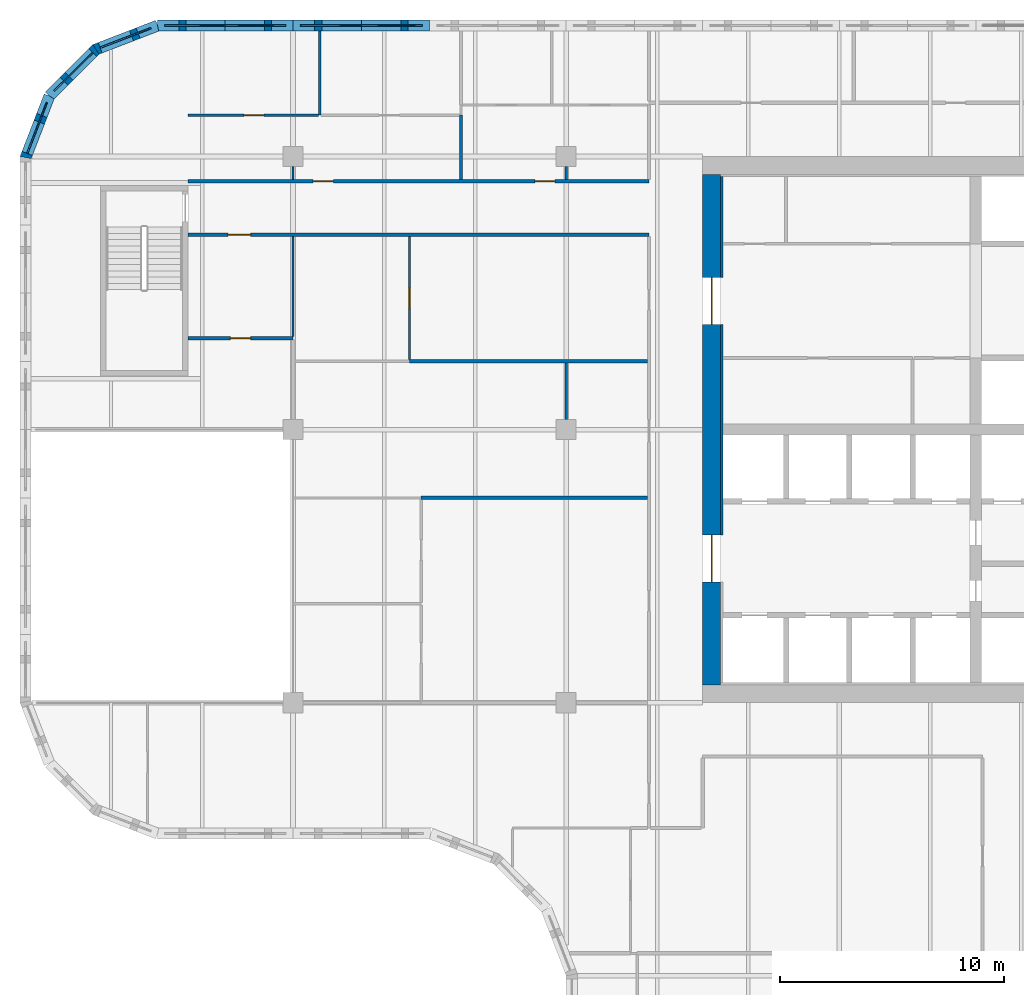
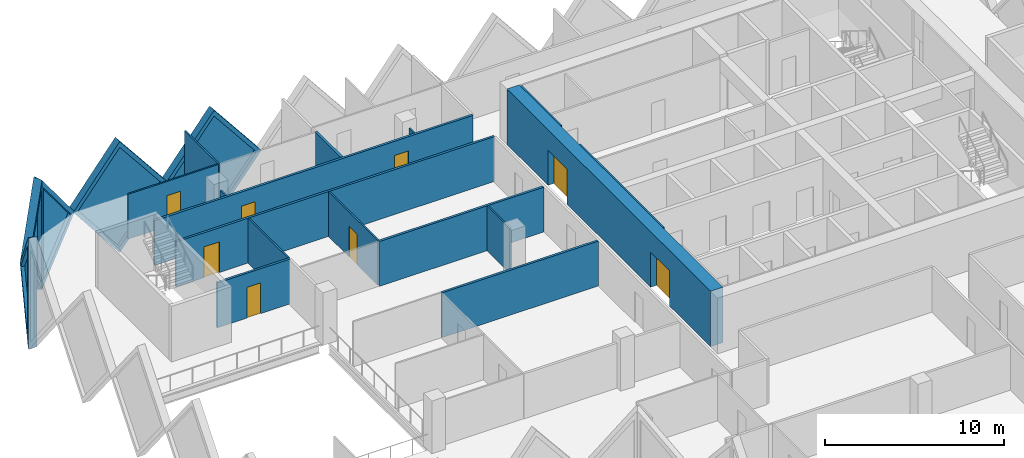
# One storey, part 8 of 18: 21 walls, 8 doors, 5 plates, 13 openings.
"""IFC4 building model written with IfcOpenShell, lengths in metres."""

from ifc_helpers import new_model, si_unit, direction, frame, frame_2d, origin, place, context, subcontext, project, spatial, polyline, rectangle, outline, extrude, faceted_brep, source, transform, mapped, material, layer, layer_set, type_object, element, fill, save


model = new_model("IFC4")

# Units and contexts
model_context = context("Model", 3, precision=1e-05, world=origin(), true_north=direction((0.0, 1.0)))
body_context = subcontext(model_context, "Body", "Model", "MODEL_VIEW")
ifc_project = project(units=[si_unit("LENGTHUNIT", "METRE"), si_unit("AREAUNIT", "SQUARE_METRE"), si_unit("VOLUMEUNIT", "CUBIC_METRE"), si_unit("PLANEANGLEUNIT", "RADIAN"), si_unit("MASSUNIT", "GRAM", prefix="KILO")], contexts=[model_context])

# Site, building, storey
site_placement = place(None, origin())
site = spatial("IfcSite", under=ifc_project, at=site_placement, CompositionType="ELEMENT")
building_placement = place(site_placement, origin())
building = spatial("IfcBuilding", under=site, at=building_placement, Name="Tessera Gate Towers", CompositionType="ELEMENT")
storey_placement = place(building_placement, frame((0.0, 0.0, 95.199951171875)))
storey = spatial("IfcBuildingStorey", under=building, at=storey_placement, Name="L23", CompositionType="ELEMENT", Elevation=95.199951171875)

# Wall, openings, doors
ifc_material_1 = material(Name="Concrete C60/75", Category="concrete")
ifc_layer_1 = layer(ifc_material_1, 0.800048828125)
ifc_layer_set_1 = layer_set([ifc_layer_1], Name="CORE SHEAR WALL 800 C60/75")
wall_type_1 = type_object("IfcWallType", Name="CORE SHEAR WALL 800 C60/75", PredefinedType="SHEAR", material=ifc_layer_set_1)
wall_1_placement = place(storey_placement, frame((30.89990234375, 25.199951171875, 0.0), z_axis=(0.0, 0.0, 1.0), x_axis=(0.0, 1.0, 0.0)))
wall_1 = element("IfcWall", 1, at=wall_1_placement, inside=storey, type_object=wall_type_1, Name="Core wall W L23", PredefinedType="SHEAR", context=body_context, shape_type="SweptSolid", body=[
    extrude(rectangle(XDim=22.800048828125, YDim=0.800048828125, at=frame_2d((11.39990234375, 0.0))), origin(), (0.0, 0.0, 1.0), 3.800048828125),
])
shared_shape_1 = source(origin(), body_context, "Body", "SweptSolid", [
    extrude(rectangle(XDim=2.10009765625, YDim=2.39990234375, at=frame_2d((1.050048828125, 1.199951171875))), frame((0.0, 0.409912109375, 0.0), z_axis=(0.0, -1.0, 0.0), x_axis=(1.0, 0.0, 0.0)), (0.0, 0.0, 1.0), 0.820068359375),
])
opening_1_placement = place(wall_1_placement, frame((4.60009765625, 0.0, 0.0)))
opening_1 = element("IfcOpeningElement", 2, at=opening_1_placement, cuts=wall_1, Name="Opening DD-T1-15-02", PredefinedType="OPENING", context=body_context, shape_type="MappedRepresentation", body=[
    mapped(shared_shape_1, transform((0.0, 0.0, 0.0), scale=1.0)),
])
opening_2_placement = place(wall_1_placement, frame((16.10009765625, 0.0, 0.0)))
opening_2 = element("IfcOpeningElement", 3, at=opening_2_placement, cuts=wall_1, Name="Opening DD-T1-15-03", PredefinedType="OPENING", context=body_context, shape_type="MappedRepresentation", body=[
    mapped(shared_shape_1, transform((0.0, 0.0, 0.0), scale=1.0)),
])
ifc_material_2 = material(Name="Hollow steel fire door", Category="steel")
door_type_1 = type_object("IfcDoorType", Name="CORE DOOR DD 2100x2400", OperationType="NOTDEFINED", PredefinedType="DOOR", material=ifc_material_2)
shared_shape_2 = source(origin(), body_context, "Body", "SweptSolid", [
    extrude(rectangle(XDim=2.10009765625, YDim=2.39990234375, at=frame_2d((1.050048828125, 1.199951171875))), frame((0.0, 0.02490234375, 0.0), z_axis=(0.0, -1.0, 0.0), x_axis=(1.0, 0.0, 0.0)), (0.0, 0.0, 1.0), 0.050048828125),
])
door_1_placement = place(opening_1_placement, origin())
door_1 = element("IfcDoor", 4, at=door_1_placement, inside=storey, type_object=door_type_1, Name="Core entrance door", OperationType="DOUBLE_DOOR_SINGLE_SWING", OverallHeight=2.39990234375, OverallWidth=2.10009765625, PredefinedType="DOOR", context=body_context, shape_type="MappedRepresentation", body=[
    mapped(shared_shape_2, transform((0.0, 0.0, 0.0), scale=1.0)),
])
fill(opening_1, door_1)
door_2_placement = place(opening_2_placement, origin())
door_2 = element("IfcDoor", 5, at=door_2_placement, inside=storey, type_object=door_type_1, Name="Core entrance door", OperationType="DOUBLE_DOOR_SINGLE_SWING", OverallHeight=2.39990234375, OverallWidth=2.10009765625, PredefinedType="DOOR", context=body_context, shape_type="MappedRepresentation", body=[
    mapped(shared_shape_2, transform((0.0, 0.0, 0.0), scale=1.0)),
])
fill(opening_2, door_2)

# Walls
ifc_material_3 = material(Name="Concrete C60/75", Category="concrete")
ifc_layer_2 = layer(ifc_material_3, 0.10009765625)
ifc_layer_set_2 = layer_set([ifc_layer_2], Name="CORE WALL THICKENING 100")
wall_type_2 = type_object("IfcWallType", Name="CORE WALL THICKENING 100", PredefinedType="SOLIDWALL", material=ifc_layer_set_2)
wall_2_placement = place(storey_placement, frame((31.35009765625, 31.89990234375, 0.0), z_axis=(0.0, 0.0, 1.0), x_axis=(0.0, 1.0, 0.0)))
element("IfcWall", 6, at=wall_2_placement, inside=storey, type_object=wall_type_2, Name="Core wall thickening W L23", PredefinedType="SOLIDWALL", context=body_context, shape_type="SweptSolid", body=[
    extrude(rectangle(XDim=9.400146484375, YDim=0.10009765625, at=frame_2d((4.7001953125, 0.0))), origin(), (0.0, 0.0, 1.0), 3.800048828125),
])
wall_3_placement = place(storey_placement, frame((31.35009765625, 43.39990234375, 0.0), z_axis=(0.0, 0.0, 1.0), x_axis=(0.0, 1.0, 0.0)))
element("IfcWall", 7, at=wall_3_placement, inside=storey, type_object=wall_type_2, Name="Core wall thickening W L23", PredefinedType="SOLIDWALL", context=body_context, shape_type="SweptSolid", body=[
    extrude(rectangle(XDim=4.5, YDim=0.10009765625, at=frame_2d((2.25, 0.0))), origin(), (0.0, 0.0, 1.0), 3.800048828125),
])

# Wall, opening, door
ifc_material_4 = material(Name="Gypsum board on steel studs, mineral wool", Category="steel")
ifc_layer_3 = layer(ifc_material_4, 0.14990234375)
ifc_layer_set_3 = layer_set([ifc_layer_3], Name="CORRIDOR WALL 150")
wall_type_3 = type_object("IfcWallType", Name="CORRIDOR WALL 150", PredefinedType="PARTITIONING", material=ifc_layer_set_3)
wall_4_placement = place(storey_placement, frame((28.10009765625, 45.300048828125, 0.0), z_axis=(0.0, 0.0, 1.0), x_axis=(-1.0, 0.0, 0.0)))
wall_4 = element("IfcWall", 8, at=wall_4_placement, inside=storey, type_object=wall_type_3, Name="T1-L23-PW-041", PredefinedType="PARTITIONING", context=body_context, shape_type="SweptSolid", body=[
    extrude(rectangle(XDim=20.60009765625, YDim=0.14990234375, at=frame_2d((10.300048828125, 0.0))), origin(), (0.0, 0.0, 1.0), 3.067138671875),
])
shared_shape_3 = source(origin(), body_context, "Body", "SweptSolid", [
    extrude(rectangle(XDim=1.0, YDim=2.10009765625, at=frame_2d((0.5, 1.050048828125))), frame((0.0, 0.0849609375, 0.0), z_axis=(0.0, -1.0, 0.0), x_axis=(1.0, 0.0, 0.0)), (0.0, 0.0, 1.0), 0.169921875),
])
opening_3_placement = place(wall_4_placement, frame((17.800048828125, 0.0, 0.0)))
opening_3 = element("IfcOpeningElement", 9, at=opening_3_placement, cuts=wall_4, Name="Opening D2100FD60-A08-01", PredefinedType="OPENING", context=body_context, shape_type="MappedRepresentation", body=[
    mapped(shared_shape_3, transform((0.0, 0.0, 0.0), scale=1.0)),
])
ifc_material_5 = material(Name="Timber door leaf in steel frame", Category="steel")
door_type_2 = type_object("IfcDoorType", Name="TENANCY ENTRANCE DOOR 1000 FD60", OperationType="NOTDEFINED", PredefinedType="DOOR", material=ifc_material_5)
shared_shape_4 = source(origin(), body_context, "Body", "SweptSolid", [
    extrude(rectangle(XDim=1.0, YDim=2.10009765625, at=frame_2d((0.5, 1.050048828125))), frame((0.0, 0.02490234375, 0.0), z_axis=(0.0, -1.0, 0.0), x_axis=(1.0, 0.0, 0.0)), (0.0, 0.0, 1.0), 0.050048828125),
])
door_3_placement = place(opening_3_placement, origin())
door_3 = element("IfcDoor", 10, at=door_3_placement, inside=storey, type_object=door_type_2, Name="T1-L23-PD-007", OperationType="SINGLE_SWING_RIGHT", OverallHeight=2.10009765625, OverallWidth=1.0, PredefinedType="DOOR", context=body_context, shape_type="MappedRepresentation", body=[
    mapped(shared_shape_4, transform((0.0, 0.0, 0.0), scale=1.0)),
])
fill(opening_3, door_3)

# Wall, openings, doors
wall_5_placement = place(storey_placement, frame((7.5, 47.699951171875, 0.0), z_axis=(0.0, 0.0, 1.0), x_axis=(1.0, 0.0, 0.0)))
wall_5 = element("IfcWall", 11, at=wall_5_placement, inside=storey, type_object=wall_type_3, Name="T1-L23-PW-042", PredefinedType="PARTITIONING", context=body_context, shape_type="SweptSolid", body=[
    extrude(rectangle(XDim=20.60009765625, YDim=0.14990234375, at=frame_2d((10.300048828125, 0.0))), origin(), (0.0, 0.0, 1.0), 3.067138671875),
])
shared_shape_5 = source(origin(), body_context, "Body", "SweptSolid", [
    extrude(rectangle(XDim=0.89990234375, YDim=2.10009765625, at=frame_2d((0.449951171875, 1.050048828125))), frame((0.0, 0.0849609375, 0.0), z_axis=(0.0, -1.0, 0.0), x_axis=(1.0, 0.0, 0.0)), (0.0, 0.0, 1.0), 0.169921875),
])
opening_4_placement = place(wall_5_placement, frame((15.5009765625, 0.0, 0.0)))
opening_4 = element("IfcOpeningElement", 12, at=opening_4_placement, cuts=wall_5, Name="Opening D890FD60-A08-05", PredefinedType="OPENING", context=body_context, shape_type="MappedRepresentation", body=[
    mapped(shared_shape_5, transform((0.0, 0.0, 0.0), scale=1.0)),
])
opening_5_placement = place(wall_5_placement, frame((5.60009765625, 0.0, 0.0)))
opening_5 = element("IfcOpeningElement", 13, at=opening_5_placement, cuts=wall_5, Name="Opening D890FD60-A08-12", PredefinedType="OPENING", context=body_context, shape_type="MappedRepresentation", body=[
    mapped(shared_shape_5, transform((0.0, 0.0, 0.0), scale=1.0)),
])
ifc_material_6 = material(Name="Timber door leaf in steel frame", Category="steel")
door_type_3 = type_object("IfcDoorType", Name="CORRIDOR DOOR 900 FD60", OperationType="NOTDEFINED", PredefinedType="DOOR", material=ifc_material_6)
shared_shape_6 = source(origin(), body_context, "Body", "SweptSolid", [
    extrude(rectangle(XDim=0.89990234375, YDim=2.10009765625, at=frame_2d((0.449951171875, 1.050048828125))), frame((0.0, 0.02490234375, 0.0), z_axis=(0.0, -1.0, 0.0), x_axis=(1.0, 0.0, 0.0)), (0.0, 0.0, 1.0), 0.050048828125),
])
door_4_placement = place(opening_4_placement, origin())
door_4 = element("IfcDoor", 14, at=door_4_placement, inside=storey, type_object=door_type_3, Name="T1-L23-PD-020", OperationType="SINGLE_SWING_RIGHT", OverallHeight=2.10009765625, OverallWidth=0.89990234375, PredefinedType="DOOR", context=body_context, shape_type="MappedRepresentation", body=[
    mapped(shared_shape_6, transform((0.0, 0.0, 0.0), scale=1.0)),
])
fill(opening_4, door_4)
door_5_placement = place(opening_5_placement, origin())
door_5 = element("IfcDoor", 15, at=door_5_placement, inside=storey, type_object=door_type_3, Name="T1-L23-PD-027", OperationType="SINGLE_SWING_LEFT", OverallHeight=2.10009765625, OverallWidth=0.89990234375, PredefinedType="DOOR", context=body_context, shape_type="MappedRepresentation", body=[
    mapped(shared_shape_6, transform((0.0, 0.0, 0.0), scale=1.0)),
])
fill(opening_5, door_5)

# Wall, opening, door
ifc_material_7 = material(Name="Glass", Category="glass")
ifc_layer_4 = layer(ifc_material_7, 0.10009765625)
ifc_layer_set_4 = layer_set([ifc_layer_4], Name="GLAZED PARTITION 100")
wall_type_4 = type_object("IfcWallType", Name="GLAZED PARTITION 100", PredefinedType="PARTITIONING", material=ifc_layer_set_4)
wall_6_placement = place(storey_placement, frame((17.39990234375, 39.72607421875, 0.0), z_axis=(0.0, 0.0, 1.0), x_axis=(0.0, 1.0, 0.0)))
wall_6 = element("IfcWall", 16, at=wall_6_placement, inside=storey, type_object=wall_type_4, Name="T1-L23-PW-038", PredefinedType="PARTITIONING", context=body_context, shape_type="SweptSolid", body=[
    extrude(rectangle(XDim=5.498046875, YDim=0.10009765625, at=frame_2d((2.7490234375, 0.0))), origin(), (0.0, 0.0, 1.0), 3.067138671875),
])
shared_shape_7 = source(origin(), body_context, "Body", "SweptSolid", [
    extrude(rectangle(XDim=0.89990234375, YDim=2.10009765625, at=frame_2d((0.449951171875, 1.050048828125))), frame((0.0, 0.06005859375, 0.0), z_axis=(0.0, -1.0, 0.0), x_axis=(1.0, 0.0, 0.0)), (0.0, 0.0, 1.0), 0.1201171875),
])
opening_6_placement = place(wall_6_placement, frame((2.300048828125, 0.0, 0.0)))
opening_6 = element("IfcOpeningElement", 17, at=opening_6_placement, cuts=wall_6, Name="Opening D690-A08-06", PredefinedType="OPENING", context=body_context, shape_type="MappedRepresentation", body=[
    mapped(shared_shape_7, transform((0.0, 0.0, 0.0), scale=1.0)),
])
ifc_material_8 = material(Name="Glass in aluminium frame", Category="aluminium")
door_type_4 = type_object("IfcDoorType", Name="GLAZED DOOR 900 NOT RATED", OperationType="NOTDEFINED", PredefinedType="DOOR", material=ifc_material_8)
door_6_placement = place(opening_6_placement, origin())
door_6 = element("IfcDoor", 18, at=door_6_placement, inside=storey, type_object=door_type_4, Name="T1-L23-PD-011", OperationType="SINGLE_SWING_LEFT", OverallHeight=2.10009765625, OverallWidth=0.89990234375, PredefinedType="DOOR", context=body_context, shape_type="MappedRepresentation", body=[
    mapped(shared_shape_6, transform((0.0, 0.0, 0.0), scale=1.0)),
])
fill(opening_6, door_6)

# Wall
wall_7_placement = place(storey_placement, frame((12.199951171875, 40.7509765625, 0.0), z_axis=(0.0, 0.0, 1.0), x_axis=(0.0, 1.0, 0.0)))
element("IfcWall", 19, at=wall_7_placement, inside=storey, type_object=wall_type_4, Name="T1-L23-PW-040", PredefinedType="PARTITIONING", context=body_context, shape_type="SweptSolid", body=[
    extrude(rectangle(XDim=4.47314453125, YDim=0.10009765625, at=frame_2d((2.236572265625, 0.0))), origin(), (0.0, 0.0, 1.0), 3.067138671875),
])

# Wall, opening, door
wall_8_placement = place(storey_placement, frame((7.5, 50.64990234375, 0.0), z_axis=(0.0, 0.0, 1.0), x_axis=(1.0, 0.0, 0.0)))
wall_8 = element("IfcWall", 20, at=wall_8_placement, inside=storey, type_object=wall_type_4, Name="T1-L23-PW-047", PredefinedType="PARTITIONING", context=body_context, shape_type="SweptSolid", body=[
    extrude(rectangle(XDim=5.8427734375, YDim=0.10009765625, at=frame_2d((2.92138671875, 0.0))), origin(), (0.0, 0.0, 1.0), 3.067138671875),
])
opening_7_placement = place(wall_8_placement, frame((2.5, 0.0, 0.0)))
opening_7 = element("IfcOpeningElement", 21, at=opening_7_placement, cuts=wall_8, Name="Opening D690-A08-07", PredefinedType="OPENING", context=body_context, shape_type="MappedRepresentation", body=[
    mapped(shared_shape_7, transform((0.0, 0.0, 0.0), scale=1.0)),
])
door_7_placement = place(opening_7_placement, origin())
door_7 = element("IfcDoor", 22, at=door_7_placement, inside=storey, type_object=door_type_4, Name="T1-L23-PD-013", OperationType="SINGLE_SWING_LEFT", OverallHeight=2.10009765625, OverallWidth=0.89990234375, PredefinedType="DOOR", context=body_context, shape_type="MappedRepresentation", body=[
    mapped(shared_shape_6, transform((0.0, 0.0, 0.0), scale=1.0)),
])
fill(opening_7, door_7)

# Walls
ifc_material_9 = material(Name="Gypsum board on steel studs", Category="steel")
ifc_layer_5 = layer(ifc_material_9, 0.10009765625)
ifc_layer_set_5 = layer_set([ifc_layer_5], Name="PARTITION 100")
wall_type_5 = type_object("IfcWallType", Name="PARTITION 100", PredefinedType="PARTITIONING", material=ifc_layer_set_5)
wall_9_placement = place(storey_placement, frame((24.39990234375, 37.050048828125, 0.0), z_axis=(0.0, 0.0, 1.0), x_axis=(0.0, 1.0, 0.0)))
element("IfcWall", 23, at=wall_9_placement, inside=storey, type_object=wall_type_5, Name="T1-L23-PW-035", PredefinedType="PARTITIONING", context=body_context, shape_type="SweptSolid", body=[
    extrude(rectangle(XDim=2.52490234375, YDim=0.10009765625, at=frame_2d((1.262451171875, 0.0))), origin(), (0.0, 0.0, 1.0), 3.067138671875),
])
for number, where, z_axis, x_axis, name in (
    (24, (12.199951171875, 48.35009765625, 0.0), (0.0, 0.0, 1.0), (0.0, -1.0, 0.0), "T1-L23-PW-045"),
    (25, (24.39990234375, 48.35009765625, 0.0), (0.0, 0.0, 1.0), (0.0, -1.0, 0.0), "T1-L23-PW-046"),
):
    element("IfcWall", number, at=place(storey_placement, frame(where, z_axis=z_axis, x_axis=x_axis)), inside=storey, type_object=wall_type_5, Name=name, PredefinedType="PARTITIONING", context=body_context, shape_type="SweptSolid", body=[
        extrude(rectangle(XDim=0.5751953125, YDim=0.10009765625, at=frame_2d((0.28759765625, 0.0))), origin(), (0.0, 0.0, 1.0), 3.067138671875),
    ])
wall_10_placement = place(storey_placement, frame((13.39404296875, 50.64990234375, 0.0), z_axis=(0.0, 0.0, 1.0), x_axis=(0.0, 1.0, 0.0)))
element("IfcWall", 26, at=wall_10_placement, inside=storey, type_object=wall_type_5, Name="T1-L23-PW-048", PredefinedType="PARTITIONING", context=body_context, shape_type="SweptSolid", body=[
    extrude(rectangle(XDim=3.75, YDim=0.10009765625, at=frame_2d((1.875, 0.0))), origin(), (0.0, 0.0, 1.0), 3.067138671875),
])
ifc_material_10 = material(Name="Gypsum board on steel studs, mineral wool", Category="steel")
ifc_layer_6 = layer(ifc_material_10, 0.14990234375)
ifc_layer_set_6 = layer_set([ifc_layer_6], Name="TENANCY WALL 150")
wall_type_6 = type_object("IfcWallType", Name="TENANCY WALL 150", PredefinedType="PARTITIONING", material=ifc_layer_set_6)
wall_11_placement = place(storey_placement, frame((17.925048828125, 33.550048828125, 0.0), z_axis=(0.0, 0.0, 1.0), x_axis=(1.0, 0.0, 0.0)))
element("IfcWall", 27, at=wall_11_placement, inside=storey, type_object=wall_type_6, Name="T1-L23-PW-033", PredefinedType="PARTITIONING", context=body_context, shape_type="SweptSolid", body=[
    extrude(rectangle(XDim=10.098876953125, YDim=0.14990234375, at=frame_2d((5.04931640625, 0.0))), origin(), (0.0, 0.0, 1.0), 3.067138671875),
])
wall_12_placement = place(storey_placement, frame((17.39990234375, 39.64990234375, 0.0), z_axis=(0.0, 0.0, 1.0), x_axis=(1.0, 0.0, 0.0)))
element("IfcWall", 28, at=wall_12_placement, inside=storey, type_object=wall_type_6, Name="T1-L23-PW-037", PredefinedType="PARTITIONING", context=body_context, shape_type="SweptSolid", body=[
    extrude(rectangle(XDim=10.6240234375, YDim=0.14990234375, at=frame_2d((5.31201171875, 0.0))), origin(), (0.0, 0.0, 1.0), 3.067138671875),
])

# Wall, opening, door
wall_13_placement = place(storey_placement, frame((12.199951171875, 40.675048828125, 0.0), z_axis=(0.0, 0.0, 1.0), x_axis=(-1.0, 0.0, 0.0)))
wall_13 = element("IfcWall", 29, at=wall_13_placement, inside=storey, type_object=wall_type_6, Name="T1-L23-PW-039", PredefinedType="PARTITIONING", context=body_context, shape_type="SweptSolid", body=[
    extrude(rectangle(XDim=4.699951171875, YDim=0.14990234375, at=frame_2d((2.35009765625, 0.0))), origin(), (0.0, 0.0, 1.0), 3.067138671875),
])
opening_8_placement = place(wall_13_placement, frame((1.89990234375, 0.0, 0.0)))
opening_8 = element("IfcOpeningElement", 30, at=opening_8_placement, cuts=wall_13, Name="Opening D190-A08-03", PredefinedType="OPENING", context=body_context, shape_type="MappedRepresentation", body=[
    mapped(shared_shape_5, transform((0.0, 0.0, 0.0), scale=1.0)),
])
ifc_material_11 = material(Name="Timber door leaf in steel frame", Category="steel")
door_type_5 = type_object("IfcDoorType", Name="INTERNAL DOOR 900 NOT RATED", OperationType="NOTDEFINED", PredefinedType="DOOR", material=ifc_material_11)
door_8_placement = place(opening_8_placement, origin())
door_8 = element("IfcDoor", 31, at=door_8_placement, inside=storey, type_object=door_type_5, Name="T1-L23-PD-008", OperationType="SINGLE_SWING_RIGHT", OverallHeight=2.10009765625, OverallWidth=0.89990234375, PredefinedType="DOOR", context=body_context, shape_type="MappedRepresentation", body=[
    mapped(shared_shape_6, transform((0.0, 0.0, 0.0), scale=1.0)),
])
fill(opening_8, door_8)

# Wall
wall_14_placement = place(storey_placement, frame((19.699951171875, 47.77587890625, 0.0), z_axis=(0.0, 0.0, 1.0), x_axis=(0.0, 1.0, 0.0)))
element("IfcWall", 32, at=wall_14_placement, inside=storey, type_object=wall_type_6, Name="T1-L23-PW-043", PredefinedType="PARTITIONING", context=body_context, shape_type="SweptSolid", body=[
    extrude(rectangle(XDim=2.8740234375, YDim=0.14990234375, at=frame_2d((1.43701171875, 0.0))), origin(), (0.0, 0.0, 1.0), 3.067138671875),
])

# Wall, opening, plate
ifc_material_12 = material(Name="Precast concrete C60/75 white", Category="concrete")
ifc_layer_7 = layer(ifc_material_12, 0.5)
ifc_layer_set_7 = layer_set([ifc_layer_7], Name="TS1 tessera")
wall_type_7 = type_object("IfcWallType", Name="TS1 tessera", PredefinedType="SOLIDWALL", material=ifc_layer_set_7)
shared_shape_8 = source(origin(), body_context, "Body", "SweptSolid", [
    extrude(outline(polyline([(3.050048828125, 0.0), (6.10009765625, 3.800048828125), (3.050048828125, 7.60009765625), (0.0, 3.800048828125), (3.050048828125, 0.0)])), frame((0.0, 0.25, 0.0), z_axis=(0.0, -1.0, 0.0), x_axis=(1.0, 0.0, 0.0)), (0.0, 0.0, 1.0), 0.5),
])
wall_15_placement = place(storey_placement, frame((18.300048828125, 54.64990234375, -3.800048828125), z_axis=(0.0, 0.0, 1.0), x_axis=(-1.0, 0.0, 0.0)))
wall_15 = element("IfcWall", 33, at=wall_15_placement, inside=storey, type_object=wall_type_7, Name="Precast tessera T1 TS1-0384", PredefinedType="SOLIDWALL", context=body_context, shape_type="MappedRepresentation", body=[
    mapped(shared_shape_8, transform((0.0, 0.0, 0.0), scale=1.0)),
])
shared_shape_9 = source(origin(), body_context, "Body", "SweptSolid", [
    extrude(outline(polyline([(3.050048828125, 0.3994140625), (5.779541015625, 3.800048828125), (3.050048828125, 7.20068359375), (0.320556640625, 3.800048828125), (3.050048828125, 0.3994140625)])), frame((0.0, 0.260009765625, 0.0), z_axis=(0.0, -1.0, 0.0), x_axis=(1.0, 0.0, 0.0)), (0.0, 0.0, 1.0), 0.52001953125),
])
opening_9_placement = place(wall_15_placement, origin())
opening_9 = element("IfcOpeningElement", 34, at=opening_9_placement, cuts=wall_15, Name="Opening T1-PL2-0776", PredefinedType="OPENING", context=body_context, shape_type="MappedRepresentation", body=[
    mapped(shared_shape_9, transform((0.0, 0.0, 0.0), scale=1.0)),
])
ifc_material_13 = material(Name="Low-e laminated glass", Category="glass")
ifc_layer_8 = layer(ifc_material_13, 0.06005859375)
ifc_layer_set_8 = layer_set([ifc_layer_8], Name="PL2 rhombic pane")
plate_type = type_object("IfcPlateType", Name="PL2 rhombic pane", PredefinedType="SHEET", material=ifc_layer_set_8)
shared_shape_10 = source(origin(), body_context, "Body", "SweptSolid", [
    extrude(outline(polyline([(3.050048828125, 0.3994140625), (5.779541015625, 3.800048828125), (3.050048828125, 7.20068359375), (0.320556640625, 3.800048828125), (3.050048828125, 0.3994140625)])), frame((0.0, 0.030029296875, 0.0), z_axis=(0.0, -1.0, 0.0), x_axis=(1.0, 0.0, 0.0)), (0.0, 0.0, 1.0), 0.06005859375),
])
plate_1_placement = place(opening_9_placement, origin())
plate_1 = element("IfcPlate", 35, at=plate_1_placement, inside=storey, type_object=plate_type, Name="Glass pane T1 PL2-0776", PredefinedType="SHEET", context=body_context, shape_type="MappedRepresentation", body=[
    mapped(shared_shape_10, transform((0.0, 0.0, 0.0), scale=1.0)),
])
fill(opening_9, plate_1)

shared_shape_11 = source(origin(), body_context, "Body", "Brep", [
    faceted_brep([(3.050048828125, -0.25, 0.0), (6.053466796875, -0.25, 3.800048828125), (3.050048828125, -0.25, 7.60009765625), (0.0, -0.25, 3.800048828125), (0.0, 0.25, 3.800048828125), (3.050048828125, 0.25, 7.60009765625), (6.0068359375, 0.25, 3.85888671875), (6.0068359375, 0.25, 3.7412109375), (3.050048828125, 0.25, 0.0), (6.053466796875, 0.0, 3.800048828125)], [[[0, 1, 2, 3]], [[4, 5, 6, 7, 8]], [[8, 7, 9, 1, 0]], [[6, 5, 2, 1, 9]], [[5, 4, 3, 2]], [[4, 8, 0, 3]], [[9, 7, 6]]]),
])
wall_16_placement = place(storey_placement, frame((12.199951171875, 54.64990234375, -3.800048828125), z_axis=(0.0, 0.0, 1.0), x_axis=(-1.0, 0.0, 0.0)))
wall_16 = element("IfcWall", 36, at=wall_16_placement, inside=storey, type_object=wall_type_7, Name="Precast tessera T1 TS1-0385", PredefinedType="SOLIDWALL", context=body_context, shape_type="MappedRepresentation", body=[
    mapped(shared_shape_11, transform((0.0, 0.0, 0.0), scale=1.0)),
])
shared_shape_12 = source(origin(), body_context, "Body", "SweptSolid", [
    extrude(outline(polyline([(3.048583984375, 0.4013671875), (5.73486328125, 3.800048828125), (3.048583984375, 7.19873046875), (0.320556640625, 3.800048828125), (3.048583984375, 0.4013671875)])), frame((0.0, 0.260009765625, 0.0), z_axis=(0.0, -1.0, 0.0), x_axis=(1.0, 0.0, 0.0)), (0.0, 0.0, 1.0), 0.52001953125),
])
opening_10_placement = place(wall_16_placement, origin())
opening_10 = element("IfcOpeningElement", 37, at=opening_10_placement, cuts=wall_16, Name="Opening T1-PL2-0777", PredefinedType="OPENING", context=body_context, shape_type="MappedRepresentation", body=[
    mapped(shared_shape_12, transform((0.0, 0.0, 0.0), scale=1.0)),
])
shared_shape_13 = source(origin(), body_context, "Body", "SweptSolid", [
    extrude(outline(polyline([(3.048583984375, 0.4013671875), (5.73486328125, 3.800048828125), (3.048583984375, 7.19873046875), (0.320556640625, 3.800048828125), (3.048583984375, 0.4013671875)])), frame((0.0, 0.030029296875, 0.0), z_axis=(0.0, -1.0, 0.0), x_axis=(1.0, 0.0, 0.0)), (0.0, 0.0, 1.0), 0.06005859375),
])
plate_2_placement = place(opening_10_placement, origin())
plate_2 = element("IfcPlate", 38, at=plate_2_placement, inside=storey, type_object=plate_type, Name="Glass pane T1 PL2-0777", PredefinedType="SHEET", context=body_context, shape_type="MappedRepresentation", body=[
    mapped(shared_shape_13, transform((0.0, 0.0, 0.0), scale=1.0)),
])
fill(opening_10, plate_2)

ifc_material_14 = material(Name="Precast concrete C60/75 white", Category="concrete")
ifc_layer_9 = layer(ifc_material_14, 0.5)
ifc_layer_set_9 = layer_set([ifc_layer_9], Name="TS3 corner tessera")
wall_type_8 = type_object("IfcWallType", Name="TS3 corner tessera", PredefinedType="SOLIDWALL", material=ifc_layer_set_9)
shared_shape_14 = source(origin(), body_context, "Body", "Brep", [
    faceted_brep([(2.950439453125, -0.25, 0.0), (3.00341796875, -0.25, 0.068359375), (3.00341796875, -0.25, 7.53173828125), (2.950439453125, -0.25, 7.60009765625), (0.0, -0.25, 3.800048828125), (0.046630859375, 0.25, 3.860107421875), (2.897705078125, 0.25, 7.531982421875), (2.897705078125, 0.25, 0.068115234375), (0.046630859375, 0.25, 3.739990234375), (2.950439453125, 0.00048828125, 0.0), (2.950439453125, 0.00048828125, 7.60009765625), (0.0, 0.0, 3.800048828125)], [[[0, 1, 2, 3, 4]], [[5, 6, 7, 8]], [[1, 0, 9]], [[10, 3, 2]], [[6, 5, 11, 4, 3, 10]], [[8, 7, 9, 0, 4, 11]], [[8, 11, 5]], [[1, 9, 7, 6, 10, 2]]]),
])
wall_17_placement = place(storey_placement, frame((6.146484375, 54.64990234375, -3.800048828125), z_axis=(0.0, 0.0, 1.0), x_axis=(-0.932997369089, -0.359883188373, 0.0)))
wall_17 = element("IfcWall", 39, at=wall_17_placement, inside=storey, type_object=wall_type_8, Name="Precast corner tessera T1 TS3-0513", PredefinedType="SOLIDWALL", context=body_context, shape_type="MappedRepresentation", body=[
    mapped(shared_shape_14, transform((0.0, 0.0, 0.0), scale=1.0)),
])
shared_shape_15 = source(origin(), body_context, "Body", "SweptSolid", [
    extrude(outline(polyline([(2.75048828125, 6.934814453125), (0.31640625, 3.800048828125), (2.75048828125, 0.665283203125), (2.75048828125, 6.934814453125)])), frame((0.0, 0.260009765625, 0.0), z_axis=(0.0, -1.0, 0.0), x_axis=(1.0, 0.0, 0.0)), (0.0, 0.0, 1.0), 0.52001953125),
])
opening_11_placement = place(wall_17_placement, origin())
opening_11 = element("IfcOpeningElement", 40, at=opening_11_placement, cuts=wall_17, Name="Opening T1-PL2-0778", PredefinedType="OPENING", context=body_context, shape_type="MappedRepresentation", body=[
    mapped(shared_shape_15, transform((0.0, 0.0, 0.0), scale=1.0)),
])
shared_shape_16 = source(origin(), body_context, "Body", "SweptSolid", [
    extrude(outline(polyline([(2.75048828125, 6.934814453125), (0.31640625, 3.800048828125), (2.75048828125, 0.665283203125), (2.75048828125, 6.934814453125)])), frame((0.0, 0.030029296875, 0.0), z_axis=(0.0, -1.0, 0.0), x_axis=(1.0, 0.0, 0.0)), (0.0, 0.0, 1.0), 0.06005859375),
])
plate_3_placement = place(opening_11_placement, origin())
plate_3 = element("IfcPlate", 41, at=plate_3_placement, inside=storey, type_object=plate_type, Name="Glass pane T1 PL2-0778", PredefinedType="SHEET", context=body_context, shape_type="MappedRepresentation", body=[
    mapped(shared_shape_16, transform((0.0, 0.0, 0.0), scale=1.0)),
])
fill(opening_11, plate_3)

shared_shape_17 = source(origin(), body_context, "Body", "Brep", [
    faceted_brep([(0.052978515625, -0.25, 0.0), (2.9970703125, -0.25, 3.800048828125), (0.052978515625, -0.25, 7.60009765625), (0.0, -0.25, 7.531982421875), (0.0, -0.25, 0.068115234375), (0.10595703125, 0.25, 7.53173828125), (2.944091796875, 0.25, 3.8681640625), (2.944091796875, 0.25, 3.73193359375), (0.10595703125, 0.25, 0.068359375), (2.9970703125, 0.000244140625, 3.800048828125), (0.052978515625, 0.0, 0.0), (0.052978515625, 0.0, 7.60009765625)], [[[0, 1, 2, 3, 4]], [[5, 6, 7, 8]], [[8, 7, 9, 1, 0, 10]], [[6, 5, 11, 2, 1, 9]], [[3, 2, 11]], [[10, 0, 4]], [[8, 10, 4, 3, 11, 5]], [[9, 7, 6]]]),
])
wall_18_placement = place(storey_placement, frame((3.43115234375, 53.62548828125, -3.800048828125), z_axis=(0.0, 0.0, 1.0), x_axis=(-0.707106781187, -0.707106781187, 0.0)))
wall_18 = element("IfcWall", 42, at=wall_18_placement, inside=storey, type_object=wall_type_8, Name="Precast corner tessera T1 TS3-0514", PredefinedType="SOLIDWALL", context=body_context, shape_type="MappedRepresentation", body=[
    mapped(shared_shape_17, transform((0.0, 0.0, 0.0), scale=1.0)),
])
shared_shape_18 = source(origin(), body_context, "Body", "SweptSolid", [
    extrude(outline(polyline([(0.2529296875, 0.66650390625), (2.680908203125, 3.800048828125), (0.2529296875, 6.933837890625), (0.2529296875, 0.66650390625)])), frame((0.0, 0.260009765625, 0.0), z_axis=(0.0, -1.0, 0.0), x_axis=(1.0, 0.0, 0.0)), (0.0, 0.0, 1.0), 0.52001953125),
])
opening_12_placement = place(wall_18_placement, origin())
opening_12 = element("IfcOpeningElement", 43, at=opening_12_placement, cuts=wall_18, Name="Opening T1-PL2-0779", PredefinedType="OPENING", context=body_context, shape_type="MappedRepresentation", body=[
    mapped(shared_shape_18, transform((0.0, 0.0, 0.0), scale=1.0)),
])
shared_shape_19 = source(origin(), body_context, "Body", "SweptSolid", [
    extrude(outline(polyline([(0.2529296875, 0.66650390625), (2.680908203125, 3.800048828125), (0.2529296875, 6.933837890625), (0.2529296875, 0.66650390625)])), frame((0.0, 0.030029296875, 0.0), z_axis=(0.0, -1.0, 0.0), x_axis=(1.0, 0.0, 0.0)), (0.0, 0.0, 1.0), 0.06005859375),
])
plate_4_placement = place(opening_12_placement, origin())
plate_4 = element("IfcPlate", 44, at=plate_4_placement, inside=storey, type_object=plate_type, Name="Glass pane T1 PL2-0779", PredefinedType="SHEET", context=body_context, shape_type="MappedRepresentation", body=[
    mapped(shared_shape_19, transform((0.0, 0.0, 0.0), scale=1.0)),
])
fill(opening_12, plate_4)

shared_shape_20 = source(origin(), body_context, "Body", "Brep", [
    faceted_brep([(2.950439453125, -0.25, 0.0), (2.9970703125, -0.25, 0.05908203125), (2.9970703125, -0.25, 7.541015625), (2.950439453125, -0.25, 7.60009765625), (0.0, -0.25, 3.800048828125), (0.052978515625, 0.25, 3.8681640625), (2.904052734375, 0.25, 7.540283203125), (2.904052734375, 0.25, 0.059814453125), (0.052978515625, 0.25, 3.73193359375), (2.950439453125, 0.00048828125, 0.0), (2.950439453125, 0.00048828125, 7.60009765625), (0.0, 0.0, 3.800048828125)], [[[0, 1, 2, 3, 4]], [[5, 6, 7, 8]], [[1, 0, 9]], [[10, 3, 2]], [[6, 5, 11, 4, 3, 10]], [[8, 7, 9, 0, 4, 11]], [[8, 11, 5]], [[1, 9, 7, 6, 10, 2]]]),
])
wall_19_placement = place(storey_placement, frame((1.31201171875, 51.50634765625, -3.800048828125), z_axis=(0.0, 0.0, 1.0), x_axis=(-0.359944998003, -0.932973525033, 0.0)))
wall_19 = element("IfcWall", 45, at=wall_19_placement, inside=storey, type_object=wall_type_8, Name="Precast corner tessera T1 TS3-0515", PredefinedType="SOLIDWALL", context=body_context, shape_type="MappedRepresentation", body=[
    mapped(shared_shape_20, transform((0.0, 0.0, 0.0), scale=1.0)),
])
opening_13_placement = place(wall_19_placement, origin())
opening_13 = element("IfcOpeningElement", 46, at=opening_13_placement, cuts=wall_19, Name="Opening T1-PL2-0780", PredefinedType="OPENING", context=body_context, shape_type="MappedRepresentation", body=[
    mapped(shared_shape_15, transform((0.0, 0.0, 0.0), scale=1.0)),
])
plate_5_placement = place(opening_13_placement, origin())
plate_5 = element("IfcPlate", 47, at=plate_5_placement, inside=storey, type_object=plate_type, Name="Glass pane T1 PL2-0780", PredefinedType="SHEET", context=body_context, shape_type="MappedRepresentation", body=[
    mapped(shared_shape_16, transform((0.0, 0.0, 0.0), scale=1.0)),
])
fill(opening_13, plate_5)

save(model, "model.ifc")
